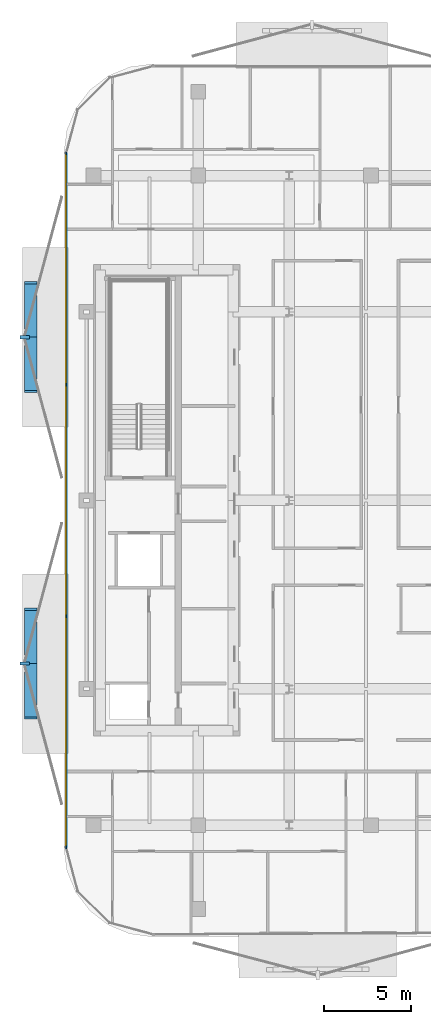
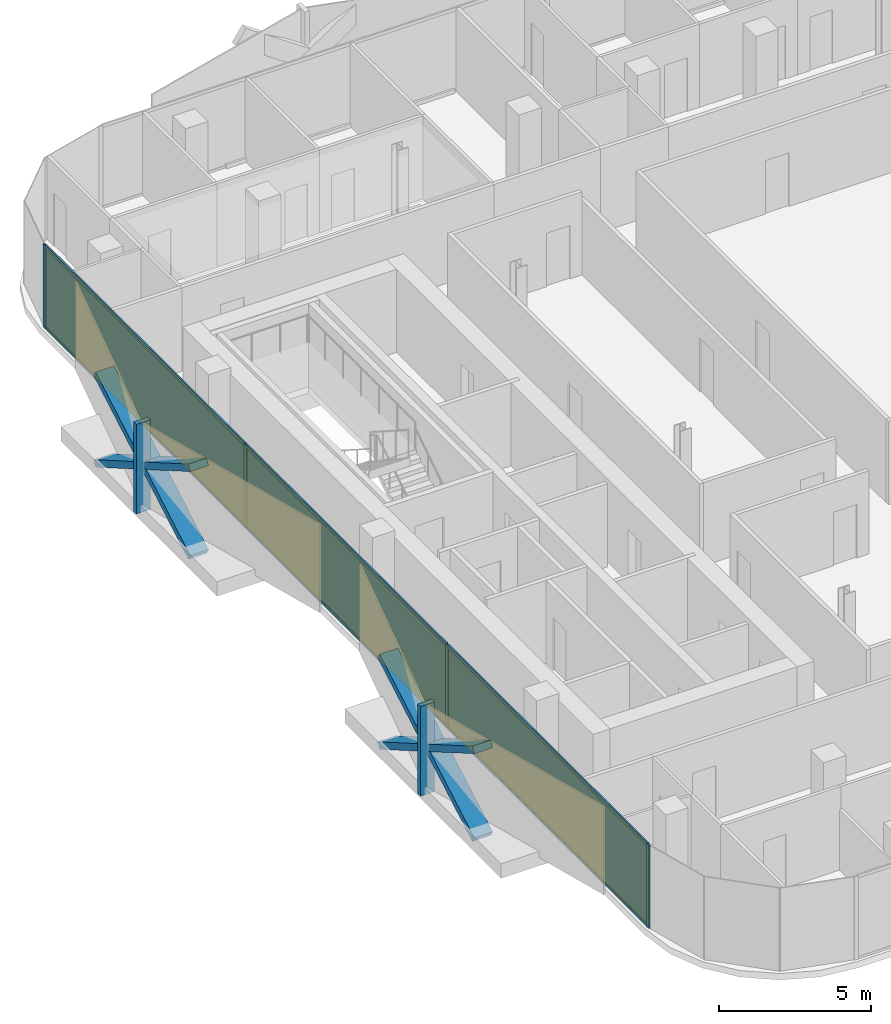
# One storey, part 9 of 15: 16 members, 3 plates, 1 curtain wall.
"""IFC4 building model written with IfcOpenShell, lengths in metres."""

import ifcopenshell
import ifcopenshell.guid

model = None  # the IFC model being written
_history = None  # IfcOwnerHistory: only IFC2X3 demands one
_inside = {}  # id of a spatial element -> (the spatial element, [elements in it])
_under = {}  # id of a project, library or spatial element -> (it, [spatial elements below it])
_declared = {}  # id of a project -> (the project, [libraries it declares])
_typed = {}  # id of a type object -> (the type object, [elements of that type])
_made_of = {}  # id of a material, layer set ... -> (it, [elements and type objects made of it])


def new_model(schema):
    """Start an empty IFC model of exactly this schema.

    Asked for "IFC4X3", IfcOpenShell would pick the latest addendum, in which some entities
    have other attributes; the version numbers below select the first issue.
    IFC2X3 requires an IfcOwnerHistory on every rooted entity: one is made here for all.
    """
    global model, _history
    if schema == "IFC4X3":
        model = ifcopenshell.file(schema_version=(4, 3, 0, 0))
    else:
        model = ifcopenshell.file(schema=schema)
    _inside.clear()
    _under.clear()
    _declared.clear()
    _typed.clear()
    _made_of.clear()
    _history = None
    if model.schema == "IFC2X3":
        org = make("IfcOrganization", Name="unknown")
        user = make(
            "IfcPersonAndOrganization",
            ThePerson=make("IfcPerson", FamilyName="unknown"),
            TheOrganization=org,
        )
        app = make(
            "IfcApplication",
            ApplicationDeveloper=org,
            Version="unknown",
            ApplicationFullName="unknown",
            ApplicationIdentifier="unknown",
        )
        _history = make(
            "IfcOwnerHistory",
            OwningUser=user,
            OwningApplication=app,
            ChangeAction="ADDED",
            CreationDate=0,
        )
    return model


def make(cls, **values):
    """One entity of the class cls with the attributes given. An attribute that is None is left unset."""
    return model.create_entity(
        cls, **{name: value for name, value in values.items() if value is not None}
    )


def rooted(cls, **values):
    """An entity with a GlobalId (a new one), such as an element, a storey or a relation."""
    return make(cls, GlobalId=ifcopenshell.guid.new(), OwnerHistory=_history, **values)


def si_unit(unit_type, name, prefix=None):
    """IfcSIUnit, for example si_unit("LENGTHUNIT", "METRE", prefix="MILLI")."""
    return make("IfcSIUnit", UnitType=unit_type, Prefix=prefix, Name=name)


def assignment(units):
    """IfcUnitAssignment: the units of a project."""
    return None if units is None else make("IfcUnitAssignment", Units=units)


def point(xyz):
    """IfcCartesianPoint."""
    return None if xyz is None else make("IfcCartesianPoint", Coordinates=xyz)


def direction(xyz):
    """IfcDirection."""
    return None if xyz is None else make("IfcDirection", DirectionRatios=xyz)


def frame(location, z_axis=None, x_axis=None):
    """IfcAxis2Placement3D, a coordinate frame: its origin and axes. An axis left out is left unset."""
    return make(
        "IfcAxis2Placement3D",
        Location=point(location),
        Axis=direction(z_axis),
        RefDirection=direction(x_axis),
    )


def frame_2d(location, x_axis=None):
    """IfcAxis2Placement2D, a coordinate frame in the plane: its origin and x axis."""
    return make(
        "IfcAxis2Placement2D", Location=point(location), RefDirection=direction(x_axis)
    )


def origin():
    """The frame at (0, 0, 0) with its axes left unset."""
    return frame((0.0, 0.0, 0.0))


def origin_2d():
    """The frame at (0, 0) in the plane with its x axis left unset."""
    return frame_2d((0.0, 0.0))


def place(relative_to, where):
    """IfcLocalPlacement: puts the frame where relative to a parent placement (None: the world)."""
    return make(
        "IfcLocalPlacement", PlacementRelTo=relative_to, RelativePlacement=where
    )


def context(
    kind, dimensions, precision=None, world=None, true_north=None, identifier=None
):
    """IfcGeometricRepresentationContext, for example the 3D "Model" context."""
    return make(
        "IfcGeometricRepresentationContext",
        ContextIdentifier=identifier,
        ContextType=kind,
        CoordinateSpaceDimension=dimensions,
        Precision=precision,
        WorldCoordinateSystem=world,
        TrueNorth=true_north,
    )


def subcontext(parent, identifier, kind, view, scale=None):
    """IfcGeometricRepresentationSubContext, for example "Body" below "Model"."""
    return make(
        "IfcGeometricRepresentationSubContext",
        ContextIdentifier=identifier,
        ContextType=kind,
        ParentContext=parent,
        TargetScale=scale,
        TargetView=view,
    )


def project(units=None, contexts=None):
    """IfcProject with its units and contexts."""
    return rooted(
        "IfcProject",
        Name="project",
        RepresentationContexts=contexts,
        UnitsInContext=assignment(units),
    )


def spatial(cls, under=None, at=None, **own):
    """A site, building, storey or space (cls), placed at a placement, below another one or the project."""
    s = rooted(cls, ObjectPlacement=at, **own)
    if under is not None:
        _under.setdefault(under.id(), (under, []))[1].append(s)
    return s


def profile(cls, at=None, kind="AREA", **sizes):
    """A parametric profile (cls). Its sizes go by their IFC names, for example OverallWidth=200.0."""
    return make(cls, ProfileType=kind, Position=at, **sizes)


def rectangle(**sizes):
    """IfcRectangleProfileDef."""
    return profile("IfcRectangleProfileDef", **sizes)


def extrude(swept, where, along, depth):
    """IfcExtrudedAreaSolid: the profile swept, set in the frame where, extruded along a direction by depth."""
    return make(
        "IfcExtrudedAreaSolid",
        SweptArea=swept,
        Position=where,
        ExtrudedDirection=direction(along),
        Depth=depth,
    )


def shape(context_of_items, identifier, shape_type, items):
    """IfcShapeRepresentation: the items that make up one representation, for example the "Body"."""
    return make(
        "IfcShapeRepresentation",
        ContextOfItems=context_of_items,
        RepresentationIdentifier=identifier,
        RepresentationType=shape_type,
        Items=items,
    )


def material(Name=None, Category=None):
    """IfcMaterial."""
    return make("IfcMaterial", Name=Name, Category=Category)


def layer(
    of_material, thickness, ventilated=None, Name=None, Category=None, Priority=None
):
    """IfcMaterialLayer: one layer of a wall or slab, of a material (None: an air gap)."""
    return make(
        "IfcMaterialLayer",
        Material=of_material,
        LayerThickness=thickness,
        IsVentilated=ventilated,
        Name=Name,
        Category=Category,
        Priority=Priority,
    )


def layer_set(layers, Name=None):
    """IfcMaterialLayerSet."""
    return make("IfcMaterialLayerSet", MaterialLayers=layers, LayerSetName=Name)


def material_profile(
    of_material, cross_section, Name=None, Category=None, Priority=None
):
    """IfcMaterialProfile: a cross section and its material."""
    return make(
        "IfcMaterialProfile",
        Name=Name,
        Material=of_material,
        Profile=cross_section,
        Priority=Priority,
        Category=Category,
    )


def profile_set(profiles, Name=None, composite=None):
    """IfcMaterialProfileSet."""
    return make(
        "IfcMaterialProfileSet",
        Name=Name,
        MaterialProfiles=profiles,
        CompositeProfile=composite,
    )


def made_of(thing, what):
    """Note that an element or type object is made of a material, layer set ...; save() writes the relation."""
    if what is not None:
        _made_of.setdefault(what.id(), (what, []))[1].append(thing)
    return thing


def type_object(cls, material=None, **own):
    """A type object (cls), such as IfcWallType, which elements share."""
    return made_of(rooted(cls, **own), material)


def element(
    cls,
    number,
    at=None,
    inside=None,
    cuts=None,
    type_object=None,
    material=None,
    context=None,
    identifier="Body",
    shape_type=None,
    held_by="IfcProductDefinitionShape",
    body=None,
    shapes=None,
    **own,
):
    """One element of the class cls, such as IfcWall. Its Tag is "e" and its number.

    at: its placement. inside: the storey or other place that contains it. cuts: it is an
    opening in that element (IfcRelVoidsElement). A single representation is given by context,
    identifier, shape_type and body (its items); several are given by shapes. held_by: the class
    of the entity that holds the representations. save() writes the other relations.
    """
    e = rooted(cls, Tag="e%d" % number, ObjectPlacement=at, **own)
    if body is not None:
        shapes = [shape(context, identifier, shape_type, body)]
    if shapes is not None:
        e.Representation = make(held_by, Representations=shapes)
    if inside is not None:
        _inside.setdefault(inside.id(), (inside, []))[1].append(e)
    if cuts is not None:
        rooted(
            "IfcRelVoidsElement", RelatingBuildingElement=cuts, RelatedOpeningElement=e
        )
    if type_object is not None:
        _typed.setdefault(type_object.id(), (type_object, []))[1].append(e)
    return made_of(e, material)


def aggregate(whole, parts):
    """IfcRelAggregates: a whole, such as a stair, and the parts it consists of."""
    return rooted("IfcRelAggregates", RelatingObject=whole, RelatedObjects=parts)


def save(model, path):
    """Write the relations noted so far, then the file.

    IfcRelAggregates (storeys below a building ...), IfcRelContainedInSpatialStructure (elements
    in a storey), IfcRelDefinesByType, IfcRelAssociatesMaterial and IfcRelDeclares: one each for
    every whole, place, type object, material and project.
    """
    for whole, parts in _under.values():
        aggregate(whole, parts)
    for where, things in _inside.values():
        rooted(
            "IfcRelContainedInSpatialStructure",
            RelatedElements=things,
            RelatingStructure=where,
        )
    for kind, things in _typed.values():
        rooted("IfcRelDefinesByType", RelatedObjects=things, RelatingType=kind)
    for what, things in _made_of.values():
        rooted("IfcRelAssociatesMaterial", RelatedObjects=things, RelatingMaterial=what)
    for by, libraries in _declared.values():
        rooted("IfcRelDeclares", RelatingContext=by, RelatedDefinitions=libraries)
    model.write(path)


model = new_model("IFC4")

# Units and contexts
model_context = context("Model", 3, precision=1e-05, world=origin(), true_north=direction((0.0, 1.0)))
body_context = subcontext(model_context, "Body", "Model", "MODEL_VIEW")
ifc_project = project(units=[si_unit("LENGTHUNIT", "METRE"), si_unit("AREAUNIT", "SQUARE_METRE"), si_unit("VOLUMEUNIT", "CUBIC_METRE"), si_unit("PLANEANGLEUNIT", "RADIAN"), si_unit("MASSUNIT", "GRAM", prefix="KILO")], contexts=[model_context])

# Member
ifc_material_1 = material(Name="Anodised Bronze Aluminium 6063-T6", Category="aluminium")
ifc_material_profile_1 = material_profile(ifc_material_1, rectangle(XDim=0.260009765625, YDim=0.699951171875, at=origin_2d()))
ifc_profile_set_1 = profile_set([ifc_material_profile_1], Name="Anodised Bronze Aluminium 6063-T6")
member_type_1 = type_object("IfcMemberType", Name="Bronze Diamond Solar-Screen Lattice Rib BDL-700", PredefinedType="MULLION", material=ifc_profile_set_1)
site_placement = place(None, origin())
building_placement = place(site_placement, origin())
storey_placement = place(building_placement, frame((0.0, 0.0, 226.0)))
member_1_placement = place(storey_placement, frame((-24.0, -12.46044921875, -0.1298828125), z_axis=(0.0, 0.865854948139, 0.500295121686), x_axis=(0.0, -0.500295121686, 0.865854948139)))
member_1 = element("IfcMember", 1, at=member_1_placement, type_object=member_type_1, Name="L52 Bronze Diamond Solar Screen Lattice Rib 347A", PredefinedType="MULLION", context=body_context, shape_type="SweptSolid", body=[
    extrude(rectangle(XDim=0.260009765625, YDim=0.699951171875, at=origin_2d()), origin(), (0.0, 0.0, 1.0), 7.195556640625),
])

member_2_placement = place(storey_placement, frame((-24.0, -6.230224609375, -0.1298828125), z_axis=(0.0, -0.865854948139, 0.500295121686), x_axis=(0.0, 0.500295121686, 0.865854948139)))
member_2 = element("IfcMember", 2, at=member_2_placement, type_object=member_type_1, Name="L52 Bronze Diamond Solar Screen Lattice Rib 347B", PredefinedType="MULLION", context=body_context, shape_type="SweptSolid", body=[
    extrude(rectangle(XDim=0.260009765625, YDim=0.699951171875, at=origin_2d()), origin(), (0.0, 0.0, 1.0), 7.195556640625),
])

member_3_placement = place(storey_placement, frame((-24.0, 6.230224609375, -0.1298828125), z_axis=(0.0, 0.865854948139, 0.500295121686), x_axis=(0.0, -0.500295121686, 0.865854948139)))
member_3 = element("IfcMember", 3, at=member_3_placement, type_object=member_type_1, Name="L52 Bronze Diamond Solar Screen Lattice Rib 348A", PredefinedType="MULLION", context=body_context, shape_type="SweptSolid", body=[
    extrude(rectangle(XDim=0.260009765625, YDim=0.699951171875, at=origin_2d()), origin(), (0.0, 0.0, 1.0), 7.195556640625),
])

member_4_placement = place(storey_placement, frame((-24.0, 12.46044921875, -0.1298828125), z_axis=(0.0, -0.865854948139, 0.500295121686), x_axis=(0.0, 0.500295121686, 0.865854948139)))
member_4 = element("IfcMember", 4, at=member_4_placement, type_object=member_type_1, Name="L52 Bronze Diamond Solar Screen Lattice Rib 348B", PredefinedType="MULLION", context=body_context, shape_type="SweptSolid", body=[
    extrude(rectangle(XDim=0.260009765625, YDim=0.699951171875, at=origin_2d()), origin(), (0.0, 0.0, 1.0), 7.195556640625),
])

ifc_material_2 = material(Name="Anodised Bronze Aluminium 6063-T6", Category="aluminium")
ifc_material_profile_2 = material_profile(ifc_material_2, rectangle(XDim=0.179931640625, YDim=0.5400390625, at=origin_2d()))
ifc_profile_set_2 = profile_set([ifc_material_profile_2], Name="Anodised Bronze Aluminium 6063-T6")
member_type_2 = type_object("IfcMemberType", Name="Bronze Solar-Screen Vertical Fold Fin BSF-540", PredefinedType="MULLION", material=ifc_profile_set_2)
member_5_placement = place(storey_placement, frame((-24.340087890625, -9.345458984375, -0.1298828125), z_axis=(0.0, 0.0, 1.0), x_axis=(0.0, 1.0, 0.0)))
member_5 = element("IfcMember", 5, at=member_5_placement, type_object=member_type_2, Name="L52 Bronze Solar Screen Vertical Fin 347", PredefinedType="MULLION", context=body_context, shape_type="SweptSolid", body=[
    extrude(rectangle(XDim=0.179931640625, YDim=0.5400390625, at=origin_2d()), origin(), (0.0, 0.0, 1.0), 3.599853515625),
])

member_6_placement = place(storey_placement, frame((-24.340087890625, 9.345458984375, -0.1298828125), z_axis=(0.0, 0.0, 1.0), x_axis=(0.0, 1.0, 0.0)))
member_6 = element("IfcMember", 6, at=member_6_placement, type_object=member_type_2, Name="L52 Bronze Solar Screen Vertical Fin 348", PredefinedType="MULLION", context=body_context, shape_type="SweptSolid", body=[
    extrude(rectangle(XDim=0.179931640625, YDim=0.5400390625, at=origin_2d()), origin(), (0.0, 0.0, 1.0), 3.599853515625),
])

ifc_material_3 = material(Name="Anodised Bronze Aluminium 6063-T6", Category="aluminium")
ifc_material_profile_3 = material_profile(ifc_material_3, rectangle(XDim=0.06005859375, YDim=0.159912109375, at=origin_2d()))
ifc_profile_set_3 = profile_set([ifc_material_profile_3], Name="Anodised Bronze Aluminium 6063-T6")
member_type_3 = type_object("IfcMemberType", Name="CW-Z4 Mullion 60x160", PredefinedType="MULLION", material=ifc_profile_set_3)
member_7_placement = place(storey_placement, frame((-21.9599609375, -19.86083984375, 0.0), z_axis=(0.0, 0.0, 1.0), x_axis=(-1.0, 0.0, 0.0)))
member_7 = element("IfcMember", 7, at=member_7_placement, type_object=member_type_3, Name="CW-Z4 mullion 1", PredefinedType="MULLION", context=body_context, shape_type="SweptSolid", body=[
    extrude(rectangle(XDim=0.06005859375, YDim=0.159912109375, at=origin_2d()), origin(), (0.0, 0.0, 1.0), 3.340087890625),
])

member_8_placement = place(storey_placement, frame((-21.9599609375, -6.63037109375, 0.0), z_axis=(0.0, 0.0, 1.0), x_axis=(-1.0, 0.0, 0.0)))
member_8 = element("IfcMember", 8, at=member_8_placement, type_object=member_type_3, Name="CW-Z4 mullion 2", PredefinedType="MULLION", context=body_context, shape_type="SweptSolid", body=[
    extrude(rectangle(XDim=0.06005859375, YDim=0.159912109375, at=origin_2d()), origin(), (0.0, 0.0, 1.0), 3.340087890625),
])

member_9_placement = place(storey_placement, frame((-21.9599609375, 6.63037109375, 0.0), z_axis=(0.0, 0.0, 1.0), x_axis=(-1.0, 0.0, 0.0)))
member_9 = element("IfcMember", 9, at=member_9_placement, type_object=member_type_3, Name="CW-Z4 mullion 3", PredefinedType="MULLION", context=body_context, shape_type="SweptSolid", body=[
    extrude(rectangle(XDim=0.06005859375, YDim=0.159912109375, at=origin_2d()), origin(), (0.0, 0.0, 1.0), 3.340087890625),
])

member_10_placement = place(storey_placement, frame((-21.9599609375, 19.86083984375, 0.0), z_axis=(0.0, 0.0, 1.0), x_axis=(-1.0, 0.0, 0.0)))
member_10 = element("IfcMember", 10, at=member_10_placement, type_object=member_type_3, Name="CW-Z4 mullion 4", PredefinedType="MULLION", context=body_context, shape_type="SweptSolid", body=[
    extrude(rectangle(XDim=0.06005859375, YDim=0.159912109375, at=origin_2d()), origin(), (0.0, 0.0, 1.0), 3.340087890625),
])

ifc_material_4 = material(Name="Anodised Bronze Aluminium 6063-T6", Category="aluminium")
ifc_material_profile_4 = material_profile(ifc_material_4, rectangle(XDim=0.06005859375, YDim=0.125, at=origin_2d()))
ifc_profile_set_4 = profile_set([ifc_material_profile_4], Name="Anodised Bronze Aluminium 6063-T6")
member_type_4 = type_object("IfcMemberType", Name="CW-Z4 Transom 60x125", PredefinedType="USERDEFINED", material=ifc_profile_set_4)
member_11_placement = place(storey_placement, frame((-21.9599609375, -19.830810546875, 0.030029296875), z_axis=(0.0, 1.0, 0.0), x_axis=(-1.0, 0.0, 0.0)))
member_11 = element("IfcMember", 11, at=member_11_placement, type_object=member_type_4, Name="CW-Z4 transom 1.1", ObjectType="TRANSOM", PredefinedType="USERDEFINED", context=body_context, shape_type="SweptSolid", body=[
    extrude(rectangle(XDim=0.06005859375, YDim=0.125, at=origin_2d()), origin(), (0.0, 0.0, 1.0), 13.170654296875),
])

member_12_placement = place(storey_placement, frame((-21.9599609375, -19.830810546875, 3.31005859375), z_axis=(0.0, 1.0, 0.0), x_axis=(-1.0, 0.0, 0.0)))
member_12 = element("IfcMember", 12, at=member_12_placement, type_object=member_type_4, Name="CW-Z4 transom 1.2", ObjectType="TRANSOM", PredefinedType="USERDEFINED", context=body_context, shape_type="SweptSolid", body=[
    extrude(rectangle(XDim=0.06005859375, YDim=0.125, at=origin_2d()), origin(), (0.0, 0.0, 1.0), 13.170654296875),
])

member_13_placement = place(storey_placement, frame((-21.9599609375, -6.600341796875, 0.030029296875), z_axis=(0.0, 1.0, 0.0), x_axis=(-1.0, 0.0, 0.0)))
member_13 = element("IfcMember", 13, at=member_13_placement, type_object=member_type_4, Name="CW-Z4 transom 2.1", ObjectType="TRANSOM", PredefinedType="USERDEFINED", context=body_context, shape_type="SweptSolid", body=[
    extrude(rectangle(XDim=0.06005859375, YDim=0.125, at=origin_2d()), origin(), (0.0, 0.0, 1.0), 13.20068359375),
])

member_14_placement = place(storey_placement, frame((-21.9599609375, -6.600341796875, 3.31005859375), z_axis=(0.0, 1.0, 0.0), x_axis=(-1.0, 0.0, 0.0)))
member_14 = element("IfcMember", 14, at=member_14_placement, type_object=member_type_4, Name="CW-Z4 transom 2.2", ObjectType="TRANSOM", PredefinedType="USERDEFINED", context=body_context, shape_type="SweptSolid", body=[
    extrude(rectangle(XDim=0.06005859375, YDim=0.125, at=origin_2d()), origin(), (0.0, 0.0, 1.0), 13.20068359375),
])

member_15_placement = place(storey_placement, frame((-21.9599609375, 6.66015625, 0.030029296875), z_axis=(0.0, 1.0, 0.0), x_axis=(-1.0, 0.0, 0.0)))
member_15 = element("IfcMember", 15, at=member_15_placement, type_object=member_type_4, Name="CW-Z4 transom 3.1", ObjectType="TRANSOM", PredefinedType="USERDEFINED", context=body_context, shape_type="SweptSolid", body=[
    extrude(rectangle(XDim=0.06005859375, YDim=0.125, at=origin_2d()), origin(), (0.0, 0.0, 1.0), 13.170654296875),
])

member_16_placement = place(storey_placement, frame((-21.9599609375, 6.66015625, 3.31005859375), z_axis=(0.0, 1.0, 0.0), x_axis=(-1.0, 0.0, 0.0)))
member_16 = element("IfcMember", 16, at=member_16_placement, type_object=member_type_4, Name="CW-Z4 transom 3.2", ObjectType="TRANSOM", PredefinedType="USERDEFINED", context=body_context, shape_type="SweptSolid", body=[
    extrude(rectangle(XDim=0.06005859375, YDim=0.125, at=origin_2d()), origin(), (0.0, 0.0, 1.0), 13.170654296875),
])

# Plate
ifc_material_5 = material(Name="Low-E Solar Control Laminated Glass", Category="glass")
ifc_layer_1 = layer(ifc_material_5, 0.030029296875, Name="Low-E Solar Control Laminated Glass")
ifc_layer_set_1 = layer_set([ifc_layer_1], Name="Low-E Solar Control Laminated Glass")
plate_type = type_object("IfcPlateType", Name="CW-Z4 Low-E Double Glazed Panel 30mm", PredefinedType="CURTAIN_PANEL", material=ifc_layer_set_1)
plate_1_placement = place(storey_placement, frame((-21.9599609375, -13.24560546875, 0.06005859375), z_axis=(0.0, 0.0, 1.0), x_axis=(0.0, 1.0, 0.0)))
plate_1 = element("IfcPlate", 17, at=plate_1_placement, type_object=plate_type, Name="CW-Z4 panel 1.1", PredefinedType="CURTAIN_PANEL", context=body_context, shape_type="SweptSolid", body=[
    extrude(rectangle(XDim=13.170654296875, YDim=0.030029296875, at=origin_2d()), origin(), (0.0, 0.0, 1.0), 3.219970703125),
])

plate_2_placement = place(storey_placement, frame((-21.9599609375, 0.0, 0.06005859375), z_axis=(0.0, 0.0, 1.0), x_axis=(0.0, 1.0, 0.0)))
plate_2 = element("IfcPlate", 18, at=plate_2_placement, type_object=plate_type, Name="CW-Z4 panel 2.1", PredefinedType="CURTAIN_PANEL", context=body_context, shape_type="SweptSolid", body=[
    extrude(rectangle(XDim=13.200439453125, YDim=0.030029296875, at=origin_2d()), origin(), (0.0, 0.0, 1.0), 3.219970703125),
])

plate_3_placement = place(storey_placement, frame((-21.9599609375, 13.24560546875, 0.06005859375), z_axis=(0.0, 0.0, 1.0), x_axis=(0.0, 1.0, 0.0)))
plate_3 = element("IfcPlate", 19, at=plate_3_placement, type_object=plate_type, Name="CW-Z4 panel 3.1", PredefinedType="CURTAIN_PANEL", context=body_context, shape_type="SweptSolid", body=[
    extrude(rectangle(XDim=13.170654296875, YDim=0.030029296875, at=origin_2d()), origin(), (0.0, 0.0, 1.0), 3.219970703125),
])

# Site, building, storey
site = spatial("IfcSite", under=ifc_project, at=site_placement, CompositionType="ELEMENT")
building = spatial("IfcBuilding", under=site, at=building_placement, Name="Khairoan Windgate Tower", CompositionType="ELEMENT")
storey = spatial("IfcBuildingStorey", under=building, at=storey_placement, Name="L52", CompositionType="ELEMENT", Elevation=226.0)

# Curtain wall
ifc_material_6 = material(Name="Anodised Bronze Aluminium 6063-T6", Category="aluminium")
ifc_layer_2 = layer(ifc_material_6, 0.159912109375, Name="Anodised Bronze Aluminium 6063-T6")
ifc_layer_set_2 = layer_set([ifc_layer_2], Name="Anodised Bronze Aluminium 6063-T6")
curtain_wall_type = type_object("IfcCurtainWallType", Name="Sky Residence Unitised Curtain Wall CW-Z4", PredefinedType="NOTDEFINED", material=ifc_layer_set_2)
curtain_wall_placement = place(storey_placement, frame((-21.9599609375, -19.890869140625, 0.0), z_axis=(0.0, 0.0, 1.0), x_axis=(0.0, 1.0, 0.0)))
curtain_wall = element("IfcCurtainWall", 20, at=curtain_wall_placement, inside=storey, type_object=curtain_wall_type, Name="L52 Unitised Curtain Wall 5", PredefinedType="NOTDEFINED", context=body_context, shape_type="SweptSolid", body=[
    extrude(rectangle(XDim=39.78173828125, YDim=0.010009765625, at=frame_2d((19.890869140625, 0.0))), origin(), (0.0, 0.0, 1.0), 3.340087890625),
])

aggregate(curtain_wall, [member_7, member_8, member_9, member_10, member_11, member_12, plate_1, member_13, member_14, plate_2, member_15, member_16, plate_3, member_1, member_2, member_5, member_3, member_4, member_6])

save(model, "model.ifc")
